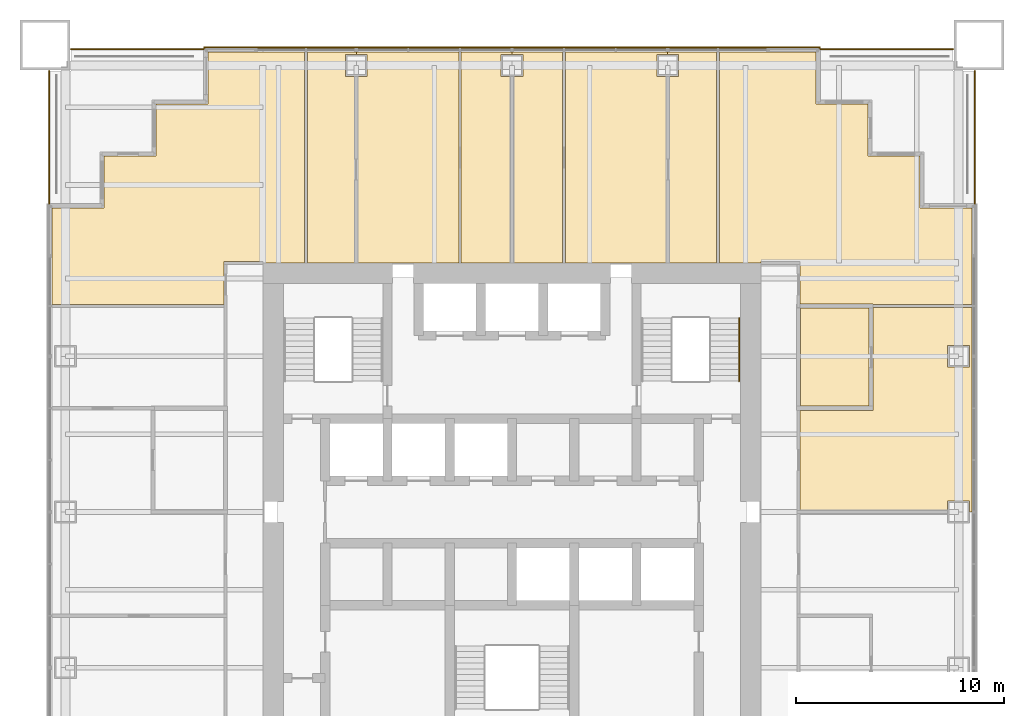
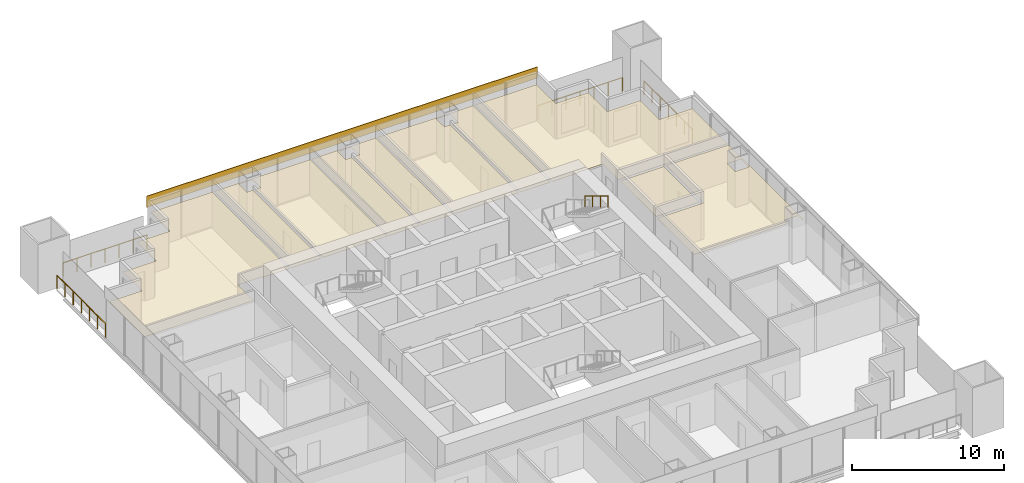
# One storey, part 13 of 13: 11 coverings, 5 railings.
"""IFC4 building model written with IfcOpenShell, lengths in metres."""

from ifc_helpers import new_model, si_unit, direction, frame, origin, origin_2d, place, context, subcontext, project, spatial, polyline, rectangle, circle, outline, extrude, material, layer, layer_set, type_object, element, save


model = new_model("IFC4")

# Units and contexts
model_context = context("Model", 3, precision=1e-05, world=origin(), true_north=direction((0.0, 1.0)))
body_context = subcontext(model_context, "Body", "Model", "MODEL_VIEW")
ifc_project = project(units=[si_unit("LENGTHUNIT", "METRE"), si_unit("AREAUNIT", "SQUARE_METRE"), si_unit("VOLUMEUNIT", "CUBIC_METRE"), si_unit("PLANEANGLEUNIT", "RADIAN"), si_unit("MASSUNIT", "GRAM", prefix="KILO")], contexts=[model_context])

# Site, building, storey
site_placement = place(None, origin())
site = spatial("IfcSite", under=ifc_project, at=site_placement, CompositionType="ELEMENT")
building_placement = place(site_placement, origin())
building = spatial("IfcBuilding", under=site, at=building_placement, Name="Tarangal Relay Tower", CompositionType="ELEMENT")
storey_placement = place(building_placement, frame((0.0, 0.0, 181.89990234375)))
storey = spatial("IfcBuildingStorey", under=building, at=storey_placement, Name="L37", CompositionType="ELEMENT", Elevation=181.89990234375)

# Covering
ifc_material_1 = material(Name="Black anodised aluminium cladding", Category="aluminium")
ifc_layer_1 = layer(ifc_material_1, 0.050048828125)
ifc_layer_set_1 = layer_set([ifc_layer_1], Name="Black metal spandrel band")
covering_type_1 = type_object("IfcCoveringType", Name="Black metal spandrel band", PredefinedType="CLADDING", material=ifc_layer_set_1)
covering_1_placement = place(storey_placement, frame((0.0, 22.375, 3.250244140625), z_axis=(0.0, 0.0, 1.0), x_axis=(1.0, 0.0, 0.0)))
element("IfcCovering", 1, at=covering_1_placement, inside=storey, type_object=covering_type_1, Name="Spandrel band SB1 N L37", PredefinedType="CLADDING", context=body_context, shape_type="SweptSolid", body=[
    extrude(rectangle(XDim=29.699951171875, YDim=0.050048828125, at=origin_2d()), origin(), (0.0, 0.0, 1.0), 0.89990234375),
])

# Railing
ifc_material_2 = material(Name="Steel handrail, black finish", Category="steel")
railing_type_1 = type_object("IfcRailingType", Name="Stair handrail 900", PredefinedType="HANDRAIL", material=ifc_material_2)
railing_1_placement = place(storey_placement, frame((10.93994140625, 9.346923828125, 2.166748046875)))
element("IfcRailing", 2, at=railing_1_placement, inside=storey, type_object=railing_type_1, Name="Stair ST-B handrail HR1 L37 flight 2", PredefinedType="HANDRAIL", context=body_context, shape_type="SweptSolid", body=[
    extrude(circle(Radius=0.02392578125, at=origin_2d()), frame((0.0, 0.0, 0.8759765625), z_axis=(0.0, -0.85685617095, 0.515555527858), x_axis=(1.0, 0.0, 0.0)), (0.0, 0.0, 1.0), 3.555908203125),
    extrude(circle(Radius=0.02099609375, at=origin_2d()), origin(), (0.0, 0.0, 1.0), 0.851806640625),
    extrude(circle(Radius=0.02099609375, at=origin_2d()), frame((0.0, -1.015625, 0.611083984375)), (0.0, 0.0, 1.0), 0.851806640625),
    extrude(circle(Radius=0.02099609375, at=origin_2d()), frame((0.0, -2.03125, 1.22216796875)), (0.0, 0.0, 1.0), 0.851806640625),
    extrude(circle(Radius=0.02099609375, at=origin_2d()), frame((0.0, -3.046875, 1.833251953125)), (0.0, 0.0, 1.0), 0.851806640625),
])

# Coverings
ifc_material_3 = material(Name="Mineral fibre ceiling tiles", Category="gypsum")
ifc_layer_2 = layer(ifc_material_3, 0.02001953125)
ifc_layer_set_2 = layer_set([ifc_layer_2], Name="Suspended ceiling")
covering_type_2 = type_object("IfcCoveringType", Name="Suspended ceiling", PredefinedType="CEILING", material=ifc_layer_set_2)
covering_2_placement = place(storey_placement, frame((0.0, 0.0, 2.900146484375)))
element("IfcCovering", 3, at=covering_2_placement, inside=storey, type_object=covering_type_2, Name="Suspended ceiling CL1 L37-02", PredefinedType="CEILING", context=body_context, shape_type="SweptSolid", body=[
    extrude(outline(polyline([(-7.574951171875, 20.989990234375), (-8.02490234375, 20.989990234375), (-8.02490234375, 22.0400390625), (-7.5, 22.0400390625), (-7.5, 22.14990234375), (-9.842041015625, 22.14990234375), (-9.842041015625, 12.0), (-7.574951171875, 12.0), (-7.574951171875, 20.989990234375)])), origin(), (0.0, 0.0, 1.0), 0.02001953125),
])
covering_3_placement = place(storey_placement, frame((0.0, 0.0, 2.900146484375)))
element("IfcCovering", 4, at=covering_3_placement, inside=storey, type_object=covering_type_2, Name="Suspended ceiling CL1 L37-03", PredefinedType="CEILING", context=body_context, shape_type="SweptSolid", body=[
    extrude(outline(polyline([(-7.425048828125, 12.0), (-2.550048828125, 12.0), (-2.550048828125, 22.14990234375), (-7.5, 22.14990234375), (-7.5, 22.0400390625), (-6.97509765625, 22.0400390625), (-6.97509765625, 20.989990234375), (-7.425048828125, 20.989990234375), (-7.425048828125, 12.0)])), origin(), (0.0, 0.0, 1.0), 0.02001953125),
])
covering_4_placement = place(storey_placement, frame((0.0, 0.0, 2.900146484375)))
element("IfcCovering", 5, at=covering_4_placement, inside=storey, type_object=covering_type_2, Name="Suspended ceiling CL1 L37-04", PredefinedType="CEILING", context=body_context, shape_type="SweptSolid", body=[
    extrude(outline(polyline([(-0.074951171875, 20.989990234375), (-0.52490234375, 20.989990234375), (-0.52490234375, 22.0400390625), (0.0, 22.0400390625), (0.0, 22.14990234375), (-2.449951171875, 22.14990234375), (-2.449951171875, 12.0), (-0.074951171875, 12.0), (-0.074951171875, 20.989990234375)])), origin(), (0.0, 0.0, 1.0), 0.02001953125),
])
covering_5_placement = place(storey_placement, frame((0.0, 0.0, 2.900146484375)))
element("IfcCovering", 6, at=covering_5_placement, inside=storey, type_object=covering_type_2, Name="Suspended ceiling CL1 L37-05", PredefinedType="CEILING", context=body_context, shape_type="SweptSolid", body=[
    extrude(outline(polyline([(0.074951171875, 12.0), (2.425048828125, 12.0), (2.425048828125, 22.14990234375), (0.0, 22.14990234375), (0.0, 22.0400390625), (0.52490234375, 22.0400390625), (0.52490234375, 20.989990234375), (0.074951171875, 20.989990234375), (0.074951171875, 12.0)])), origin(), (0.0, 0.0, 1.0), 0.02001953125),
])
covering_6_placement = place(storey_placement, frame((0.0, 0.0, 2.900146484375)))
element("IfcCovering", 7, at=covering_6_placement, inside=storey, type_object=covering_type_2, Name="Suspended ceiling CL1 L37-06", PredefinedType="CEILING", context=body_context, shape_type="SweptSolid", body=[
    extrude(outline(polyline([(7.425048828125, 20.989990234375), (6.97509765625, 20.989990234375), (6.97509765625, 22.0400390625), (7.5, 22.0400390625), (7.5, 22.14990234375), (2.574951171875, 22.14990234375), (2.574951171875, 12.0), (7.425048828125, 12.0), (7.425048828125, 20.989990234375)])), origin(), (0.0, 0.0, 1.0), 0.02001953125),
])
covering_7_placement = place(storey_placement, frame((0.0, 0.0, 2.900146484375)))
element("IfcCovering", 8, at=covering_7_placement, inside=storey, type_object=covering_type_2, Name="Suspended ceiling CL1 L37-07", PredefinedType="CEILING", context=body_context, shape_type="SweptSolid", body=[
    extrude(outline(polyline([(7.574951171875, 12.0), (9.842041015625, 12.0), (9.842041015625, 22.14990234375), (7.5, 22.14990234375), (7.5, 22.0400390625), (8.02490234375, 22.0400390625), (8.02490234375, 20.989990234375), (7.574951171875, 20.989990234375), (7.574951171875, 12.0)])), origin(), (0.0, 0.0, 1.0), 0.02001953125),
])
covering_8_placement = place(storey_placement, frame((0.0, 0.0, 2.900146484375)))
element("IfcCovering", 9, at=covering_8_placement, inside=storey, type_object=covering_type_2, Name="Suspended ceiling CL1 L37-08", PredefinedType="CEILING", context=body_context, shape_type="SweptSolid", body=[
    extrude(outline(polyline([(17.199951171875, 9.81689453125), (13.89990234375, 9.81689453125), (13.89990234375, 5.10009765625), (17.199951171875, 5.10009765625), (17.199951171875, 9.81689453125)])), origin(), (0.0, 0.0, 1.0), 0.02001953125),
])
covering_9_placement = place(storey_placement, frame((0.0, 0.0, 2.900146484375)))
element("IfcCovering", 10, at=covering_9_placement, inside=storey, type_object=covering_type_2, Name="Suspended ceiling CL1 L37-09", PredefinedType="CEILING", context=body_context, shape_type="SweptSolid", body=[
    extrude(outline(polyline([(22.14990234375, 0.0), (22.14990234375, 9.842041015625), (17.39990234375, 9.842041015625), (17.39990234375, 4.89990234375), (13.875, 4.89990234375), (13.875, 0.074951171875), (20.989990234375, 0.074951171875), (20.989990234375, 0.52490234375), (22.0400390625, 0.52490234375), (22.0400390625, 0.0), (22.14990234375, 0.0)]), holes=[polyline([(22.0400390625, 6.97509765625), (22.0400390625, 8.02490234375), (20.989990234375, 8.02490234375), (20.989990234375, 6.97509765625), (22.0400390625, 6.97509765625)])]), origin(), (0.0, 0.0, 1.0), 0.02001953125),
])
covering_10_placement = place(storey_placement, frame((0.0, 0.0, 2.900146484375)))
element("IfcCovering", 11, at=covering_10_placement, inside=storey, type_object=covering_type_2, Name="Suspended ceiling CL1 L37-22", PredefinedType="CEILING", context=body_context, shape_type="SweptSolid", body=[
    extrude(outline(polyline([(9.991943359375, 22.14990234375), (9.991943359375, 12.0), (12.0, 12.0), (12.0, 12.074951171875), (13.875, 12.074951171875), (13.875, 10.01708984375), (17.39990234375, 10.01708984375), (17.39990234375, 9.991943359375), (22.14990234375, 9.991943359375), (22.14990234375, 14.64990234375), (19.64990234375, 14.64990234375), (19.64990234375, 17.14990234375), (17.14990234375, 17.14990234375), (17.14990234375, 19.64990234375), (14.64990234375, 19.64990234375), (14.64990234375, 22.14990234375), (9.991943359375, 22.14990234375)])), origin(), (0.0, 0.0, 1.0), 0.02001953125),
])
covering_11_placement = place(storey_placement, frame((0.0, 0.0, 2.900146484375)))
element("IfcCovering", 12, at=covering_11_placement, inside=storey, type_object=covering_type_2, Name="Suspended ceiling CL1 L37-25", PredefinedType="CEILING", context=body_context, shape_type="SweptSolid", body=[
    extrude(outline(polyline([(-19.64990234375, 14.64990234375), (-22.14990234375, 14.64990234375), (-22.14990234375, 9.991943359375), (-13.875, 9.991943359375), (-13.875, 12.074951171875), (-12.0, 12.074951171875), (-12.0, 12.0), (-9.991943359375, 12.0), (-9.991943359375, 22.14990234375), (-14.64990234375, 22.14990234375), (-14.64990234375, 19.64990234375), (-17.14990234375, 19.64990234375), (-17.14990234375, 17.14990234375), (-19.64990234375, 17.14990234375), (-19.64990234375, 14.64990234375)])), origin(), (0.0, 0.0, 1.0), 0.02001953125),
])

# Railings
ifc_material_4 = material(Name="Black steel guard with glass infill", Category="steel")
railing_type_2 = type_object("IfcRailingType", Name="Terrace guard 1100", PredefinedType="GUARDRAIL", material=ifc_material_4)
railing_2_placement = place(storey_placement, frame((14.85009765625, 22.300048828125, 0.0)))
element("IfcRailing", 13, at=railing_2_placement, inside=storey, type_object=railing_type_2, Name="Terrace guard GR2 NE L37", PredefinedType="GUARDRAIL", context=body_context, shape_type="SweptSolid", body=[
    extrude(circle(Radius=0.02392578125, at=origin_2d()), frame((0.0, 0.0, 1.076171875), z_axis=(1.0, 0.0, 0.0), x_axis=(0.0, 1.0, 0.0)), (0.0, 0.0, 1.0), 6.39990234375),
    extrude(circle(Radius=0.02099609375, at=origin_2d()), origin(), (0.0, 0.0, 1.0), 1.052001953125),
    extrude(circle(Radius=0.02099609375, at=origin_2d()), frame((1.066650390625, 0.0, 0.0)), (0.0, 0.0, 1.0), 1.052001953125),
    extrude(circle(Radius=0.02099609375, at=origin_2d()), frame((2.13330078125, 0.0, 0.0)), (0.0, 0.0, 1.0), 1.052001953125),
    extrude(circle(Radius=0.02099609375, at=origin_2d()), frame((3.199951171875, 0.0, 0.0)), (0.0, 0.0, 1.0), 1.052001953125),
    extrude(circle(Radius=0.02099609375, at=origin_2d()), frame((4.2666015625, 0.0, 0.0)), (0.0, 0.0, 1.0), 1.052001953125),
    extrude(circle(Radius=0.02099609375, at=origin_2d()), frame((5.333251953125, 0.0, 0.0)), (0.0, 0.0, 1.0), 1.052001953125),
    extrude(circle(Radius=0.02099609375, at=origin_2d()), frame((6.39990234375, 0.0, 0.0)), (0.0, 0.0, 1.0), 1.052001953125),
])
railing_3_placement = place(storey_placement, frame((22.300048828125, 21.25, 0.0)))
element("IfcRailing", 14, at=railing_3_placement, inside=storey, type_object=railing_type_2, Name="Terrace guard GR2 NE L37", PredefinedType="GUARDRAIL", context=body_context, shape_type="SweptSolid", body=[
    extrude(circle(Radius=0.02392578125, at=origin_2d()), frame((0.0, 0.0, 1.076171875), z_axis=(0.0, -1.0, 0.0), x_axis=(1.0, 0.0, 0.0)), (0.0, 0.0, 1.0), 6.39990234375),
    extrude(circle(Radius=0.02099609375, at=origin_2d()), origin(), (0.0, 0.0, 1.0), 1.052001953125),
    extrude(circle(Radius=0.02099609375, at=origin_2d()), frame((0.0, -1.066650390625, 0.0)), (0.0, 0.0, 1.0), 1.052001953125),
    extrude(circle(Radius=0.02099609375, at=origin_2d()), frame((0.0, -2.13330078125, 0.0)), (0.0, 0.0, 1.0), 1.052001953125),
    extrude(circle(Radius=0.02099609375, at=origin_2d()), frame((0.0, -3.199951171875, 0.0)), (0.0, 0.0, 1.0), 1.052001953125),
    extrude(circle(Radius=0.02099609375, at=origin_2d()), frame((0.0, -4.2666015625, 0.0)), (0.0, 0.0, 1.0), 1.052001953125),
    extrude(circle(Radius=0.02099609375, at=origin_2d()), frame((0.0, -5.333251953125, 0.0)), (0.0, 0.0, 1.0), 1.052001953125),
    extrude(circle(Radius=0.02099609375, at=origin_2d()), frame((0.0, -6.39990234375, 0.0)), (0.0, 0.0, 1.0), 1.052001953125),
])
railing_4_placement = place(storey_placement, frame((-22.300048828125, 14.85009765625, 0.0)))
element("IfcRailing", 15, at=railing_4_placement, inside=storey, type_object=railing_type_2, Name="Terrace guard GR2 NW L37", PredefinedType="GUARDRAIL", context=body_context, shape_type="SweptSolid", body=[
    extrude(circle(Radius=0.02392578125, at=origin_2d()), frame((0.0, 0.0, 1.076171875), z_axis=(0.0, 1.0, 0.0), x_axis=(-1.0, 0.0, 0.0)), (0.0, 0.0, 1.0), 6.39990234375),
    extrude(circle(Radius=0.02099609375, at=origin_2d()), origin(), (0.0, 0.0, 1.0), 1.052001953125),
    extrude(circle(Radius=0.02099609375, at=origin_2d()), frame((0.0, 1.066650390625, 0.0)), (0.0, 0.0, 1.0), 1.052001953125),
    extrude(circle(Radius=0.02099609375, at=origin_2d()), frame((0.0, 2.13330078125, 0.0)), (0.0, 0.0, 1.0), 1.052001953125),
    extrude(circle(Radius=0.02099609375, at=origin_2d()), frame((0.0, 3.199951171875, 0.0)), (0.0, 0.0, 1.0), 1.052001953125),
    extrude(circle(Radius=0.02099609375, at=origin_2d()), frame((0.0, 4.2666015625, 0.0)), (0.0, 0.0, 1.0), 1.052001953125),
    extrude(circle(Radius=0.02099609375, at=origin_2d()), frame((0.0, 5.333251953125, 0.0)), (0.0, 0.0, 1.0), 1.052001953125),
    extrude(circle(Radius=0.02099609375, at=origin_2d()), frame((0.0, 6.39990234375, 0.0)), (0.0, 0.0, 1.0), 1.052001953125),
])
railing_5_placement = place(storey_placement, frame((-21.25, 22.300048828125, 0.0)))
element("IfcRailing", 16, at=railing_5_placement, inside=storey, type_object=railing_type_2, Name="Terrace guard GR2 NW L37", PredefinedType="GUARDRAIL", context=body_context, shape_type="SweptSolid", body=[
    extrude(circle(Radius=0.02392578125, at=origin_2d()), frame((0.0, 0.0, 1.076171875), z_axis=(1.0, 0.0, 0.0), x_axis=(0.0, 1.0, 0.0)), (0.0, 0.0, 1.0), 6.39990234375),
    extrude(circle(Radius=0.02099609375, at=origin_2d()), origin(), (0.0, 0.0, 1.0), 1.052001953125),
    extrude(circle(Radius=0.02099609375, at=origin_2d()), frame((1.066650390625, 0.0, 0.0)), (0.0, 0.0, 1.0), 1.052001953125),
    extrude(circle(Radius=0.02099609375, at=origin_2d()), frame((2.13330078125, 0.0, 0.0)), (0.0, 0.0, 1.0), 1.052001953125),
    extrude(circle(Radius=0.02099609375, at=origin_2d()), frame((3.199951171875, 0.0, 0.0)), (0.0, 0.0, 1.0), 1.052001953125),
    extrude(circle(Radius=0.02099609375, at=origin_2d()), frame((4.2666015625, 0.0, 0.0)), (0.0, 0.0, 1.0), 1.052001953125),
    extrude(circle(Radius=0.02099609375, at=origin_2d()), frame((5.333251953125, 0.0, 0.0)), (0.0, 0.0, 1.0), 1.052001953125),
    extrude(circle(Radius=0.02099609375, at=origin_2d()), frame((6.39990234375, 0.0, 0.0)), (0.0, 0.0, 1.0), 1.052001953125),
])

save(model, "model.ifc")
